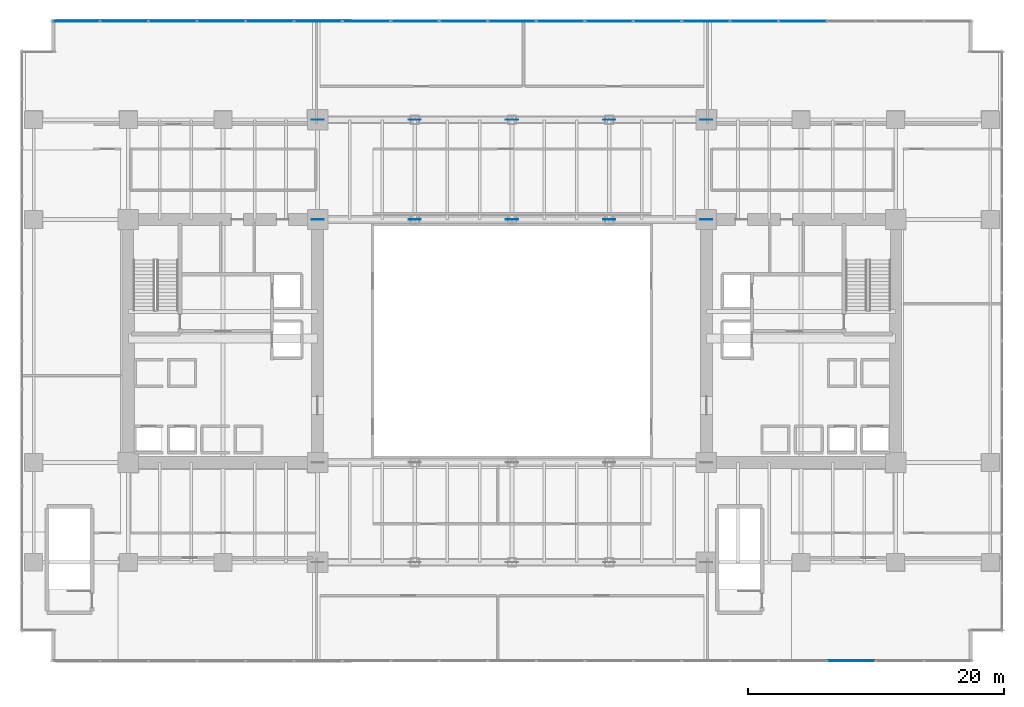
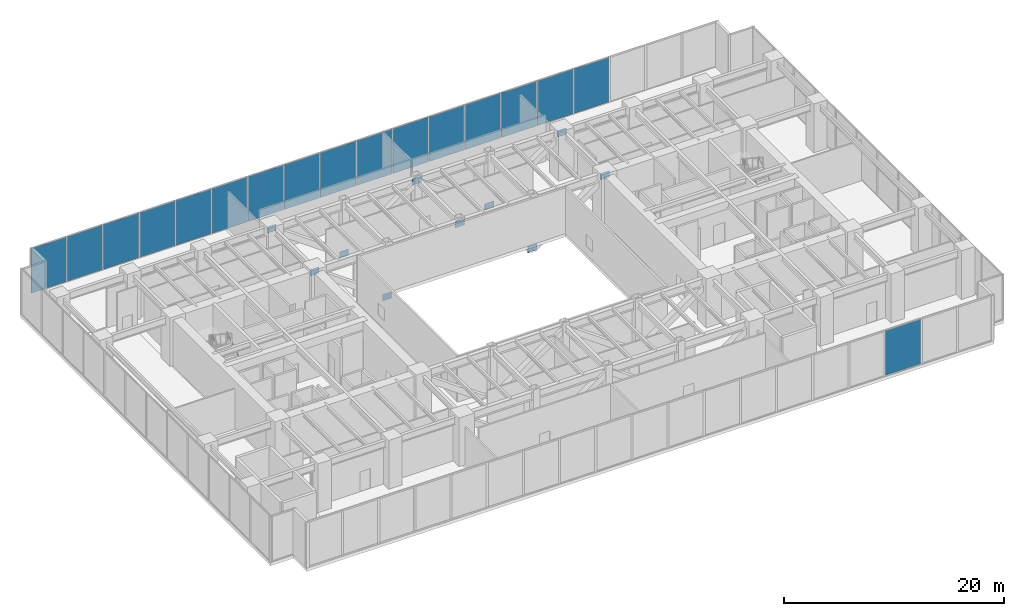
# One storey, part 26 of 35: 27 plates, 2 elements without a shape of their own.
"""IFC4 building model written with IfcOpenShell, lengths in metres."""

from ifc_helpers import new_model, si_unit, direction, frame, origin, origin_2d, place, context, subcontext, project, spatial, rectangle, extrude, source, transform, mapped, material, layer, layer_set, type_object, type_shapes, element, aggregate, save


model = new_model("IFC4")

# Units and contexts
model_context = context("Model", 3, precision=1e-05, world=origin(), true_north=direction((0.0, 1.0)))
body_context = subcontext(model_context, "Body", "Model", "MODEL_VIEW")
ifc_project = project(units=[si_unit("LENGTHUNIT", "METRE"), si_unit("AREAUNIT", "SQUARE_METRE"), si_unit("VOLUMEUNIT", "CUBIC_METRE"), si_unit("PLANEANGLEUNIT", "RADIAN"), si_unit("MASSUNIT", "GRAM", prefix="KILO")], contexts=[model_context])

# Site, building, storey
site_placement = place(None, origin())
site = spatial("IfcSite", under=ifc_project, at=site_placement, CompositionType="ELEMENT")
building_placement = place(site_placement, origin())
building = spatial("IfcBuilding", under=site, at=building_placement, Name="Haelvirn Gate Laboratories", CompositionType="ELEMENT")
storey_placement = place(building_placement, frame((0.0, 0.0, 19.800048828125)))
storey = spatial("IfcBuildingStorey", under=building, at=storey_placement, Name="L05", CompositionType="ELEMENT", Elevation=19.800048828125)

# Plates
ifc_material_1 = material(Name="Steel SM420", Category="steel")
ifc_layer_1 = layer(ifc_material_1, 0.035888671875, Name="PL-NODE-TN1")
ifc_layer_set_1 = layer_set([ifc_layer_1], Name="Steel SM420")
plate_type_1 = type_object("IfcPlateType", Name="PL-NODE-TN1", PredefinedType="USERDEFINED", material=ifc_layer_set_1)
shared_shape_1 = source(origin(), body_context, "Body", "SweptSolid", [
    extrude(rectangle(XDim=0.949951171875, YDim=0.035888671875, at=origin_2d()), origin(), (0.0, 0.0, 1.0), 0.699951171875),
])
type_shapes(plate_type_1, [shared_shape_1])
for number, where, z_axis, x_axis, name in (
    (1, (22.199951171875, 33.800048828125, 4.27978515625), (0.0, 0.0, 1.0), (1.0, 0.0, 0.0), "L05 Steel Truss Node Plate TN1"),
    (2, (29.800048828125, 33.800048828125, -1.14990234375), (0.0, 0.0, 1.0), (1.0, 0.0, 0.0), "L05 Steel Truss Node Plate TN1"),
    (3, (37.39990234375, 33.800048828125, 4.27978515625), (0.0, 0.0, 1.0), (1.0, 0.0, 0.0), "L05 Steel Truss Node Plate TN1"),
    (4, (45.0, 33.800048828125, -1.14990234375), (0.0, 0.0, 1.0), (1.0, 0.0, 0.0), "L05 Steel Truss Node Plate TN1"),
    (5, (52.60009765625, 33.800048828125, 4.27978515625), (0.0, 0.0, 1.0), (1.0, 0.0, 0.0), "L05 Steel Truss Node Plate TN1"),
    (6, (22.199951171875, 41.60009765625, 4.27978515625), (0.0, 0.0, 1.0), (1.0, 0.0, 0.0), "L05 Steel Truss Node Plate TN1"),
    (7, (29.800048828125, 41.60009765625, -1.14990234375), (0.0, 0.0, 1.0), (1.0, 0.0, 0.0), "L05 Steel Truss Node Plate TN1"),
    (8, (37.39990234375, 41.60009765625, 4.27978515625), (0.0, 0.0, 1.0), (1.0, 0.0, 0.0), "L05 Steel Truss Node Plate TN1"),
    (9, (45.0, 41.60009765625, -1.14990234375), (0.0, 0.0, 1.0), (1.0, 0.0, 0.0), "L05 Steel Truss Node Plate TN1"),
    (10, (52.60009765625, 41.60009765625, 4.27978515625), (0.0, 0.0, 1.0), (1.0, 0.0, 0.0), "L05 Steel Truss Node Plate TN1"),
):
    element("IfcPlate", number, at=place(storey_placement, frame(where, z_axis=z_axis, x_axis=x_axis)), inside=storey, type_object=plate_type_1, Name=name, ObjectType="GUSSET_PLATE", PredefinedType="USERDEFINED", context=body_context, shape_type="MappedRepresentation", body=[
        mapped(shared_shape_1, transform((0.0, 0.0, 0.0), scale=1.0)),
    ])

# Curtain wall, plate
ifc_material_2 = material(Name="Anodised bronze unitised aluminium & triple low-E glass", Category="aluminium")
ifc_layer_2 = layer(ifc_material_2, 0.18798828125, Name="CW-SYS-1")
ifc_layer_set_2 = layer_set([ifc_layer_2], Name="Anodised bronze unitised aluminium & triple low-E glass")
curtain_wall_type = type_object("IfcCurtainWallType", Name="CW-SYS-1", PredefinedType="NOTDEFINED", material=ifc_layer_set_2)
curtain_wall_1_placement = place(storey_placement, origin())
curtain_wall_1 = element("IfcCurtainWall", 11, at=curtain_wall_1_placement, inside=storey, type_object=curtain_wall_type, Name="L05 Unitised Curtain Wall CW-L05-P0-E06-1", PredefinedType="NOTDEFINED")
ifc_material_3 = material(Name="Bronze solar-control triple low-E IGU 48 mm", Category="glass")
ifc_layer_3 = layer(ifc_material_3, 0.048095703125, Name="CWP-IGU-48")
ifc_layer_set_3 = layer_set([ifc_layer_3], Name="Bronze solar-control triple low-E IGU 48 mm")
plate_type_2 = type_object("IfcPlateType", Name="CWP-IGU-48", PredefinedType="CURTAIN_PANEL", material=ifc_layer_set_3)
shared_shape_2 = source(origin(), body_context, "Body", "SweptSolid", [
    extrude(rectangle(XDim=3.66943359375, YDim=0.048095703125, at=origin_2d()), origin(), (0.0, 0.0, 1.0), 4.93994140625),
])
plate_1_placement = place(storey_placement, frame((3.314697265625, 49.300048828125, 0.070068359375), z_axis=(0.0, 0.0, 1.0), x_axis=(1.0, 0.0, 0.0)))
plate_1 = element("IfcPlate", 12, at=plate_1_placement, type_object=plate_type_2, Name="CW1 panel 1.1", PredefinedType="CURTAIN_PANEL", context=body_context, shape_type="MappedRepresentation", body=[
    mapped(shared_shape_2, transform((0.0, 0.0, 0.0), scale=1.0)),
])

curtain_wall_2_placement = place(storey_placement, origin())
curtain_wall_2 = element("IfcCurtainWall", 13, at=curtain_wall_2_placement, inside=storey, type_object=curtain_wall_type, Name="L05 Unitised Curtain Wall CW-L05-P0-E00-1", PredefinedType="NOTDEFINED")
shared_shape_3 = source(origin(), body_context, "Body", "SweptSolid", [
    extrude(rectangle(XDim=3.70947265625, YDim=0.048095703125, at=origin_2d()), origin(), (0.0, 0.0, 1.0), 4.93994140625),
])
type_shapes(plate_type_2, [shared_shape_2, shared_shape_3])
plate_2_placement = place(storey_placement, frame((63.92626953125, -0.699951171875, 0.070068359375), z_axis=(0.0, 0.0, 1.0), x_axis=(1.0, 0.0, 0.0)))
plate_2 = element("IfcPlate", 14, at=plate_2_placement, type_object=plate_type_2, Name="CW1 panel 17.1", PredefinedType="CURTAIN_PANEL", context=body_context, shape_type="MappedRepresentation", body=[
    mapped(shared_shape_3, transform((0.0, 0.0, 0.0), scale=1.0)),
])
aggregate(curtain_wall_2, [plate_2])

# Plate
plate_3_placement = place(storey_placement, frame((7.084228515625, 49.300048828125, 0.070068359375), z_axis=(0.0, 0.0, 1.0), x_axis=(1.0, 0.0, 0.0)))
plate_3 = element("IfcPlate", 15, at=plate_3_placement, type_object=plate_type_2, Name="CW1 panel 2.1", PredefinedType="CURTAIN_PANEL", context=body_context, shape_type="MappedRepresentation", body=[
    mapped(shared_shape_3, transform((0.0, 0.0, 0.0), scale=1.0)),
])

plate_4_placement = place(storey_placement, frame((10.873779296875, 49.300048828125, 0.070068359375), z_axis=(0.0, 0.0, 1.0), x_axis=(1.0, 0.0, 0.0)))
plate_4 = element("IfcPlate", 16, at=plate_4_placement, type_object=plate_type_2, Name="CW1 panel 3.1", PredefinedType="CURTAIN_PANEL", context=body_context, shape_type="MappedRepresentation", body=[
    mapped(shared_shape_3, transform((0.0, 0.0, 0.0), scale=1.0)),
])

plate_5_placement = place(storey_placement, frame((14.6630859375, 49.300048828125, 0.070068359375), z_axis=(0.0, 0.0, 1.0), x_axis=(1.0, 0.0, 0.0)))
plate_5 = element("IfcPlate", 17, at=plate_5_placement, type_object=plate_type_2, Name="CW1 panel 4.1", PredefinedType="CURTAIN_PANEL", context=body_context, shape_type="MappedRepresentation", body=[
    mapped(shared_shape_3, transform((0.0, 0.0, 0.0), scale=1.0)),
])

plate_6_placement = place(storey_placement, frame((18.45263671875, 49.300048828125, 0.070068359375), z_axis=(0.0, 0.0, 1.0), x_axis=(1.0, 0.0, 0.0)))
plate_6 = element("IfcPlate", 18, at=plate_6_placement, type_object=plate_type_2, Name="CW1 panel 5.1", PredefinedType="CURTAIN_PANEL", context=body_context, shape_type="MappedRepresentation", body=[
    mapped(shared_shape_3, transform((0.0, 0.0, 0.0), scale=1.0)),
])

plate_7_placement = place(storey_placement, frame((22.2421875, 49.300048828125, 0.070068359375), z_axis=(0.0, 0.0, 1.0), x_axis=(1.0, 0.0, 0.0)))
plate_7 = element("IfcPlate", 19, at=plate_7_placement, type_object=plate_type_2, Name="CW1 panel 6.1", PredefinedType="CURTAIN_PANEL", context=body_context, shape_type="MappedRepresentation", body=[
    mapped(shared_shape_3, transform((0.0, 0.0, 0.0), scale=1.0)),
])

plate_8_placement = place(storey_placement, frame((26.031494140625, 49.300048828125, 0.070068359375), z_axis=(0.0, 0.0, 1.0), x_axis=(1.0, 0.0, 0.0)))
plate_8 = element("IfcPlate", 20, at=plate_8_placement, type_object=plate_type_2, Name="CW1 panel 7.1", PredefinedType="CURTAIN_PANEL", context=body_context, shape_type="MappedRepresentation", body=[
    mapped(shared_shape_3, transform((0.0, 0.0, 0.0), scale=1.0)),
])

plate_9_placement = place(storey_placement, frame((29.821044921875, 49.300048828125, 0.070068359375), z_axis=(0.0, 0.0, 1.0), x_axis=(1.0, 0.0, 0.0)))
plate_9 = element("IfcPlate", 21, at=plate_9_placement, type_object=plate_type_2, Name="CW1 panel 8.1", PredefinedType="CURTAIN_PANEL", context=body_context, shape_type="MappedRepresentation", body=[
    mapped(shared_shape_3, transform((0.0, 0.0, 0.0), scale=1.0)),
])

plate_10_placement = place(storey_placement, frame((33.610595703125, 49.300048828125, 0.070068359375), z_axis=(0.0, 0.0, 1.0), x_axis=(1.0, 0.0, 0.0)))
plate_10 = element("IfcPlate", 22, at=plate_10_placement, type_object=plate_type_2, Name="CW1 panel 9.1", PredefinedType="CURTAIN_PANEL", context=body_context, shape_type="MappedRepresentation", body=[
    mapped(shared_shape_3, transform((0.0, 0.0, 0.0), scale=1.0)),
])

plate_11_placement = place(storey_placement, frame((37.39990234375, 49.300048828125, 0.070068359375), z_axis=(0.0, 0.0, 1.0), x_axis=(1.0, 0.0, 0.0)))
plate_11 = element("IfcPlate", 23, at=plate_11_placement, type_object=plate_type_2, Name="CW1 panel 10.1", PredefinedType="CURTAIN_PANEL", context=body_context, shape_type="MappedRepresentation", body=[
    mapped(shared_shape_3, transform((0.0, 0.0, 0.0), scale=1.0)),
])

plate_12_placement = place(storey_placement, frame((41.189453125, 49.300048828125, 0.070068359375), z_axis=(0.0, 0.0, 1.0), x_axis=(1.0, 0.0, 0.0)))
plate_12 = element("IfcPlate", 24, at=plate_12_placement, type_object=plate_type_2, Name="CW1 panel 11.1", PredefinedType="CURTAIN_PANEL", context=body_context, shape_type="MappedRepresentation", body=[
    mapped(shared_shape_3, transform((0.0, 0.0, 0.0), scale=1.0)),
])

plate_13_placement = place(storey_placement, frame((44.97900390625, 49.300048828125, 0.070068359375), z_axis=(0.0, 0.0, 1.0), x_axis=(1.0, 0.0, 0.0)))
plate_13 = element("IfcPlate", 25, at=plate_13_placement, type_object=plate_type_2, Name="CW1 panel 12.1", PredefinedType="CURTAIN_PANEL", context=body_context, shape_type="MappedRepresentation", body=[
    mapped(shared_shape_3, transform((0.0, 0.0, 0.0), scale=1.0)),
])

plate_14_placement = place(storey_placement, frame((48.768310546875, 49.300048828125, 0.070068359375), z_axis=(0.0, 0.0, 1.0), x_axis=(1.0, 0.0, 0.0)))
plate_14 = element("IfcPlate", 26, at=plate_14_placement, type_object=plate_type_2, Name="CW1 panel 13.1", PredefinedType="CURTAIN_PANEL", context=body_context, shape_type="MappedRepresentation", body=[
    mapped(shared_shape_3, transform((0.0, 0.0, 0.0), scale=1.0)),
])

plate_15_placement = place(storey_placement, frame((52.557861328125, 49.300048828125, 0.070068359375), z_axis=(0.0, 0.0, 1.0), x_axis=(1.0, 0.0, 0.0)))
plate_15 = element("IfcPlate", 27, at=plate_15_placement, type_object=plate_type_2, Name="CW1 panel 14.1", PredefinedType="CURTAIN_PANEL", context=body_context, shape_type="MappedRepresentation", body=[
    mapped(shared_shape_3, transform((0.0, 0.0, 0.0), scale=1.0)),
])

plate_16_placement = place(storey_placement, frame((56.347412109375, 49.300048828125, 0.070068359375), z_axis=(0.0, 0.0, 1.0), x_axis=(1.0, 0.0, 0.0)))
plate_16 = element("IfcPlate", 28, at=plate_16_placement, type_object=plate_type_2, Name="CW1 panel 15.1", PredefinedType="CURTAIN_PANEL", context=body_context, shape_type="MappedRepresentation", body=[
    mapped(shared_shape_3, transform((0.0, 0.0, 0.0), scale=1.0)),
])

plate_17_placement = place(storey_placement, frame((60.136962890625, 49.300048828125, 0.070068359375), z_axis=(0.0, 0.0, 1.0), x_axis=(1.0, 0.0, 0.0)))
plate_17 = element("IfcPlate", 29, at=plate_17_placement, type_object=plate_type_2, Name="CW1 panel 16.1", PredefinedType="CURTAIN_PANEL", context=body_context, shape_type="MappedRepresentation", body=[
    mapped(shared_shape_3, transform((0.0, 0.0, 0.0), scale=1.0)),
])

aggregate(curtain_wall_1, [plate_1, plate_3, plate_4, plate_5, plate_6, plate_7, plate_8, plate_9, plate_10, plate_11, plate_12, plate_13, plate_14, plate_15, plate_16, plate_17])

save(model, "model.ifc")
